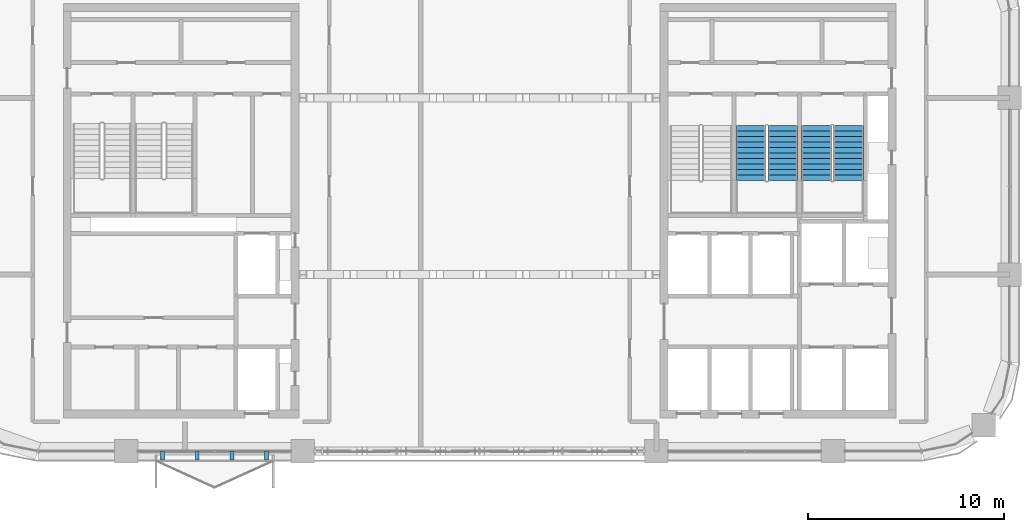
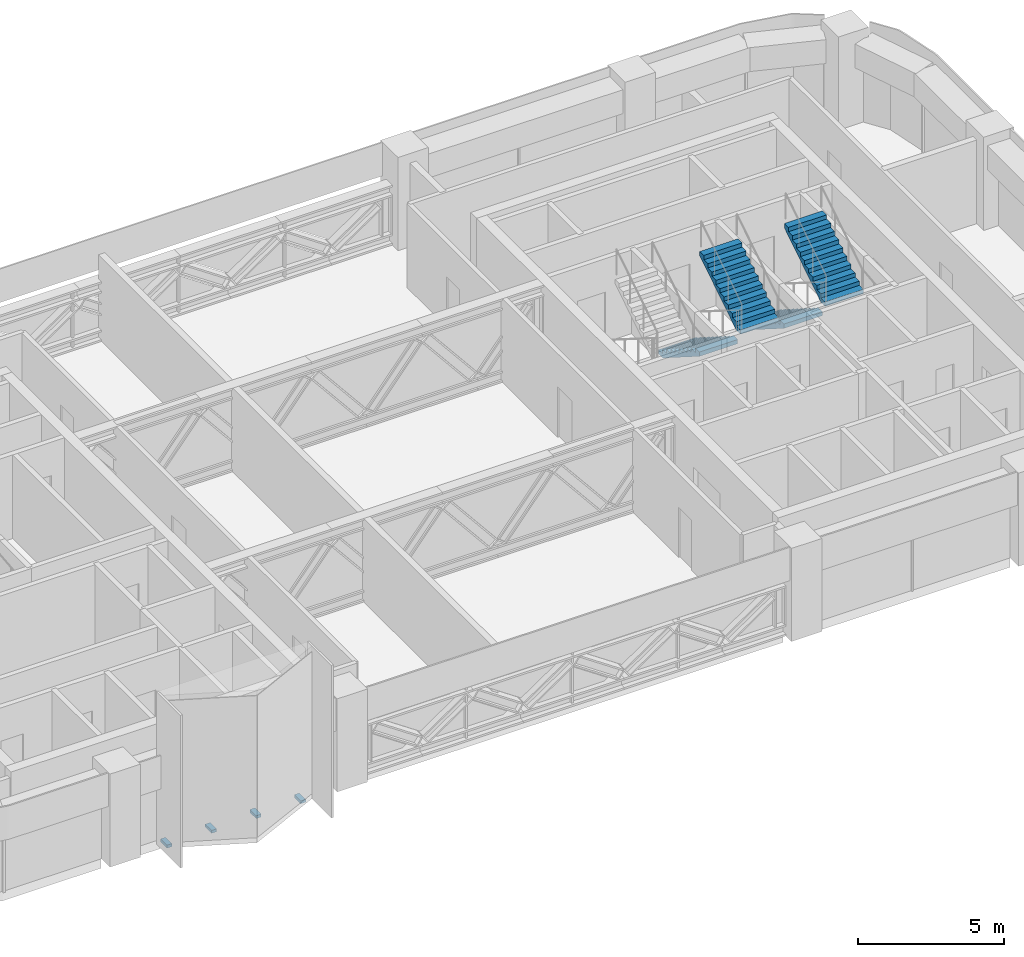
# One storey, part 12 of 14: 4 discrete accessories, 4 stair flights, 2 elements without a shape of their own.
"""IFC4 building model written with IfcOpenShell, lengths in metres."""

from ifc_helpers import new_model, si_unit, direction, frame, origin, origin_2d, place, context, subcontext, project, spatial, polyline, rectangle, outline, extrude, material, type_object, element, aggregate, save


model = new_model("IFC4")

# Units and contexts
model_context = context("Model", 3, precision=1e-05, world=origin(), true_north=direction((0.0, 1.0)))
body_context = subcontext(model_context, "Body", "Model", "MODEL_VIEW")
ifc_project = project(units=[si_unit("LENGTHUNIT", "METRE"), si_unit("AREAUNIT", "SQUARE_METRE"), si_unit("VOLUMEUNIT", "CUBIC_METRE"), si_unit("PLANEANGLEUNIT", "RADIAN"), si_unit("MASSUNIT", "GRAM", prefix="KILO")], contexts=[model_context])

# Site, building, storey
site_placement = place(None, origin())
site = spatial("IfcSite", under=ifc_project, at=site_placement, CompositionType="ELEMENT")
building_placement = place(site_placement, origin())
building = spatial("IfcBuilding", under=site, at=building_placement, Name="Tessera Arch", CompositionType="ELEMENT")
storey_placement = place(building_placement, frame((0.0, 0.0, 226.699951171875)))
storey = spatial("IfcBuildingStorey", under=building, at=storey_placement, Name="L54", CompositionType="ELEMENT", Elevation=226.699951171875)

# Stair, stair flights
ifc_material_1 = material(Name="Concrete C40/50", Category="concrete")
stair_type = type_object("IfcStairType", Name="Dogleg stair 1520", PredefinedType="HALF_TURN_STAIR", material=ifc_material_1)
stair_1_placement = place(storey_placement, origin())
stair_1 = element("IfcStair", 1, at=stair_1_placement, inside=storey, type_object=stair_type, Name="L54 S1b", PredefinedType="HALF_TURN_STAIR")
ifc_material_2 = material(Name="Concrete C40/50", Category="concrete")
stair_flight_type = type_object("IfcStairFlightType", Name="Stair flight 1520", PredefinedType="STRAIGHT", material=ifc_material_2)
stair_flight_1_placement = place(storey_placement, frame((40.81005859375, 43.580078125, 0.0), z_axis=(0.0, 0.0, 1.0), x_axis=(0.0, -1.0, 0.0)))
stair_flight_1 = element("IfcStairFlight", 2, at=stair_flight_1_placement, type_object=stair_flight_type, Name="S1b flight 1", NumberOfRisers=11, NumberOfTreads=10, PredefinedType="STRAIGHT", RiserHeight=0.177272727, TreadLength=0.28, context=body_context, shape_type="SweptSolid", body=[
    extrude(outline(polyline([(0.0, 0.0), (0.0, 0.17724609375), (0.280029296875, 0.17724609375), (0.280029296875, 0.3544921875), (0.56005859375, 0.3544921875), (0.56005859375, 0.53173828125), (0.840087890625, 0.53173828125), (0.840087890625, 0.708984375), (1.1201171875, 0.708984375), (1.1201171875, 0.886474609375), (1.39990234375, 0.886474609375), (1.39990234375, 1.063720703125), (1.679931640625, 1.063720703125), (1.679931640625, 1.240966796875), (1.9599609375, 1.240966796875), (1.9599609375, 1.418212890625), (2.239990234375, 1.418212890625), (2.239990234375, 1.595458984375), (2.52001953125, 1.595458984375), (2.52001953125, 1.772705078125), (2.800048828125, 1.772705078125), (2.800048828125, 1.949951171875), (2.800048828125, 1.59521484375), (0.2802734375, 0.0), (0.0, 0.0)])), frame((0.0, 0.760009765625, 0.0), z_axis=(0.0, -1.0, 0.0), x_axis=(1.0, 0.0, 0.0)), (0.0, 0.0, 1.0), 1.52001953125),
])
stair_flight_2_placement = place(storey_placement, frame((42.43994140625, 40.780029296875, 1.949951171875), z_axis=(0.0, 0.0, 1.0), x_axis=(0.0, 1.0, 0.0)))
stair_flight_2 = element("IfcStairFlight", 3, at=stair_flight_2_placement, type_object=stair_flight_type, Name="S1b flight 2", NumberOfRisers=11, NumberOfTreads=10, PredefinedType="STRAIGHT", RiserHeight=0.177272727, TreadLength=0.28, context=body_context, shape_type="SweptSolid", body=[
    extrude(outline(polyline([(0.0, 0.0), (0.0, 0.17724609375), (0.280029296875, 0.17724609375), (0.280029296875, 0.3544921875), (0.56005859375, 0.3544921875), (0.56005859375, 0.53173828125), (0.840087890625, 0.53173828125), (0.840087890625, 0.708984375), (1.1201171875, 0.708984375), (1.1201171875, 0.886474609375), (1.39990234375, 0.886474609375), (1.39990234375, 1.063720703125), (1.679931640625, 1.063720703125), (1.679931640625, 1.240966796875), (1.9599609375, 1.240966796875), (1.9599609375, 1.418212890625), (2.239990234375, 1.418212890625), (2.239990234375, 1.595458984375), (2.52001953125, 1.595458984375), (2.52001953125, 1.772705078125), (2.800048828125, 1.772705078125), (2.800048828125, 1.949951171875), (2.800048828125, 1.59521484375), (0.2802734375, 0.0), (0.0, 0.0)])), frame((0.0, 0.760009765625, 0.0), z_axis=(0.0, -1.0, 0.0), x_axis=(1.0, 0.0, 0.0)), (0.0, 0.0, 1.0), 1.52001953125),
])
aggregate(stair_1, [stair_flight_1, stair_flight_2])

stair_2_placement = place(storey_placement, origin())
stair_2 = element("IfcStair", 4, at=stair_2_placement, inside=storey, type_object=stair_type, Name="L54 S1c", PredefinedType="HALF_TURN_STAIR")
stair_flight_3_placement = place(storey_placement, frame((44.159912109375, 43.580078125, 0.0), z_axis=(0.0, 0.0, 1.0), x_axis=(0.0, -1.0, 0.0)))
stair_flight_3 = element("IfcStairFlight", 5, at=stair_flight_3_placement, type_object=stair_flight_type, Name="S1c flight 1", NumberOfRisers=11, NumberOfTreads=10, PredefinedType="STRAIGHT", RiserHeight=0.177272727, TreadLength=0.28, context=body_context, shape_type="SweptSolid", body=[
    extrude(outline(polyline([(0.0, 0.0), (0.0, 0.17724609375), (0.280029296875, 0.17724609375), (0.280029296875, 0.3544921875), (0.56005859375, 0.3544921875), (0.56005859375, 0.53173828125), (0.840087890625, 0.53173828125), (0.840087890625, 0.708984375), (1.1201171875, 0.708984375), (1.1201171875, 0.886474609375), (1.39990234375, 0.886474609375), (1.39990234375, 1.063720703125), (1.679931640625, 1.063720703125), (1.679931640625, 1.240966796875), (1.9599609375, 1.240966796875), (1.9599609375, 1.418212890625), (2.239990234375, 1.418212890625), (2.239990234375, 1.595458984375), (2.52001953125, 1.595458984375), (2.52001953125, 1.772705078125), (2.800048828125, 1.772705078125), (2.800048828125, 1.949951171875), (2.800048828125, 1.59521484375), (0.2802734375, 0.0), (0.0, 0.0)])), frame((0.0, 0.760009765625, 0.0), z_axis=(0.0, -1.0, 0.0), x_axis=(1.0, 0.0, 0.0)), (0.0, 0.0, 1.0), 1.52001953125),
])
stair_flight_4_placement = place(storey_placement, frame((45.7900390625, 40.780029296875, 1.949951171875), z_axis=(0.0, 0.0, 1.0), x_axis=(0.0, 1.0, 0.0)))
stair_flight_4 = element("IfcStairFlight", 6, at=stair_flight_4_placement, type_object=stair_flight_type, Name="S1c flight 2", NumberOfRisers=11, NumberOfTreads=10, PredefinedType="STRAIGHT", RiserHeight=0.177272727, TreadLength=0.28, context=body_context, shape_type="SweptSolid", body=[
    extrude(outline(polyline([(0.0, 0.0), (0.0, 0.17724609375), (0.280029296875, 0.17724609375), (0.280029296875, 0.3544921875), (0.56005859375, 0.3544921875), (0.56005859375, 0.53173828125), (0.840087890625, 0.53173828125), (0.840087890625, 0.708984375), (1.1201171875, 0.708984375), (1.1201171875, 0.886474609375), (1.39990234375, 0.886474609375), (1.39990234375, 1.063720703125), (1.679931640625, 1.063720703125), (1.679931640625, 1.240966796875), (1.9599609375, 1.240966796875), (1.9599609375, 1.418212890625), (2.239990234375, 1.418212890625), (2.239990234375, 1.595458984375), (2.52001953125, 1.595458984375), (2.52001953125, 1.772705078125), (2.800048828125, 1.772705078125), (2.800048828125, 1.949951171875), (2.800048828125, 1.59521484375), (0.2802734375, 0.0), (0.0, 0.0)])), frame((0.0, 0.760009765625, 0.0), z_axis=(0.0, -1.0, 0.0), x_axis=(1.0, 0.0, 0.0)), (0.0, 0.0, 1.0), 1.52001953125),
])
aggregate(stair_2, [stair_flight_3, stair_flight_4])

# Discrete accessories
for number, where, z_axis, x_axis, name in (
    (7, (10.85009765625, 26.780029296875, -0.1201171875), (0.0, 0.0, 1.0), (0.0, -1.0, 0.0), "Window box bracket"),
    (8, (12.61669921875, 26.780029296875, -0.1201171875), (0.0, 0.0, 1.0), (0.0, -1.0, 0.0), "Window box bracket"),
    (9, (14.38330078125, 26.780029296875, -0.1201171875), (0.0, 0.0, 1.0), (0.0, -1.0, 0.0), "Window box bracket"),
    (10, (16.14990234375, 26.780029296875, -0.1201171875), (0.0, 0.0, 1.0), (0.0, -1.0, 0.0), "Window box bracket"),
):
    element("IfcDiscreteAccessory", number, at=place(storey_placement, frame(where, z_axis=z_axis, x_axis=x_axis)), inside=storey, Name=name, PredefinedType="BRACKET", context=body_context, shape_type="SweptSolid", body=[
        extrude(rectangle(XDim=0.43994140625, YDim=0.199951171875, at=origin_2d()), origin(), (0.0, 0.0, 1.0), 0.1201171875),
    ])

save(model, "model.ifc")
